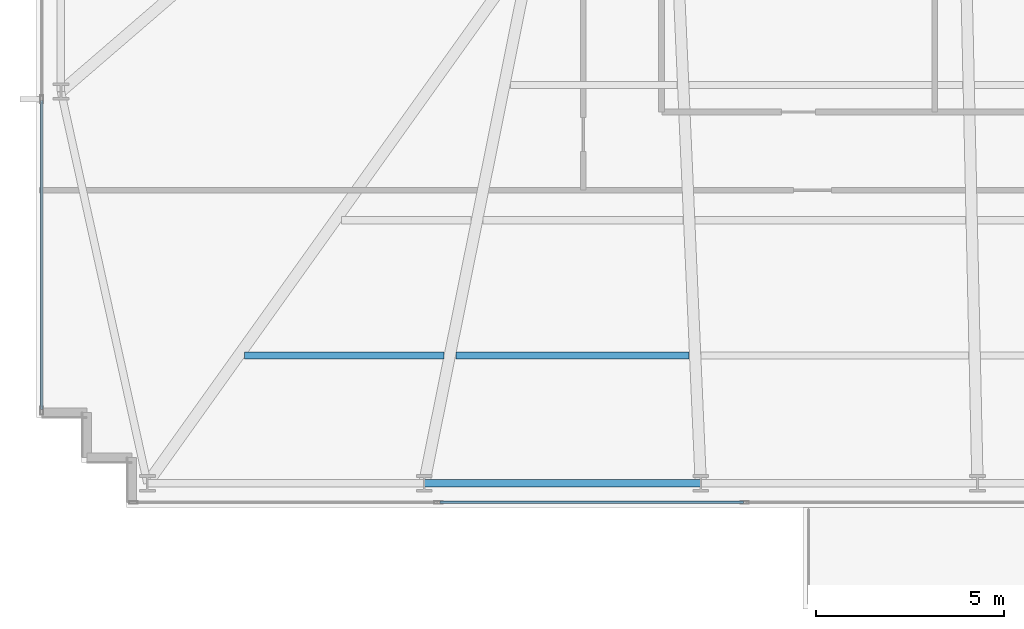
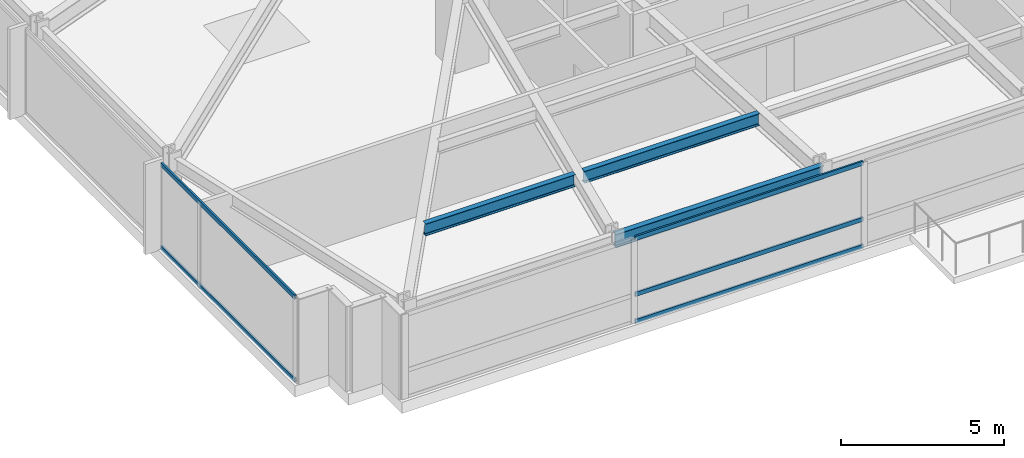
# One storey, part 3 of 31: 5 members, 3 beams, 2 elements without a shape of their own.
"""IFC4 building model written with IfcOpenShell, lengths in metres."""

from ifc_helpers import new_model, si_unit, direction, frame, origin, origin_2d, place, context, subcontext, project, spatial, hollow_rectangle, i_section, extrude, material, material_profile, profile_set, type_object, element, aggregate, save


model = new_model("IFC4")

# Units and contexts
model_context = context("Model", 3, precision=1e-05, world=origin(), true_north=direction((0.0, 1.0)))
body_context = subcontext(model_context, "Body", "Model", "MODEL_VIEW")
ifc_project = project(units=[si_unit("LENGTHUNIT", "METRE"), si_unit("AREAUNIT", "SQUARE_METRE"), si_unit("VOLUMEUNIT", "CUBIC_METRE"), si_unit("PLANEANGLEUNIT", "RADIAN"), si_unit("MASSUNIT", "GRAM", prefix="KILO")], contexts=[model_context])

# Site, building, storey
site_placement = place(None, origin())
site = spatial("IfcSite", under=ifc_project, at=site_placement, CompositionType="ELEMENT")
building_placement = place(site_placement, origin())
building = spatial("IfcBuilding", under=site, at=building_placement, Name="Yelkora Congress Tower", CompositionType="ELEMENT")
storey_placement = place(building_placement, frame((0.0, 0.0, 30.39990234375)))
storey = spatial("IfcBuildingStorey", under=building, at=storey_placement, Name="L06", CompositionType="ELEMENT", Elevation=30.39990234375)

# Beams
ifc_material_1 = material(Name="Steel S355J2", Category="steel")
ifc_material_profile_1 = material_profile(ifc_material_1, i_section(OverallWidth=0.18994140625, OverallDepth=0.449951171875, WebThickness=0.009521484375, FlangeThickness=0.0146484375, FilletRadius=0.02099609375, at=origin_2d()), Name="IPE 450")
ifc_profile_set_1 = profile_set([ifc_material_profile_1], Name="Steel S355J2")
beam_type_1 = type_object("IfcBeamType", Name="BM-JOIST-IPE450", PredefinedType="JOIST", material=ifc_profile_set_1)
beam_1_placement = place(storey_placement, frame((11.53857421875, 14.25, 2.955078125), z_axis=(1.0, 0.0, 0.0), x_axis=(0.0, 1.0, 0.0)))
element("IfcBeam", 1, at=beam_1_placement, inside=storey, type_object=beam_type_1, Name="L06 Composite Floor Joist 1", PredefinedType="JOIST", context=body_context, shape_type="SweptSolid", body=[
    extrude(i_section(OverallWidth=0.18994140625, OverallDepth=0.449951171875, WebThickness=0.009521484375, FlangeThickness=0.0146484375, FilletRadius=0.02099609375, at=origin_2d()), origin(), (0.0, 0.0, 1.0), 5.298095703125),
])
beam_2_placement = place(storey_placement, frame((17.156494140625, 14.25, 2.955078125), z_axis=(1.0, 0.0, 0.0), x_axis=(0.0, 1.0, 0.0)))
element("IfcBeam", 2, at=beam_2_placement, inside=storey, type_object=beam_type_1, Name="L06 Composite Floor Joist 2", PredefinedType="JOIST", context=body_context, shape_type="SweptSolid", body=[
    extrude(i_section(OverallWidth=0.18994140625, OverallDepth=0.449951171875, WebThickness=0.009521484375, FlangeThickness=0.0146484375, FilletRadius=0.02099609375, at=origin_2d()), origin(), (0.0, 0.0, 1.0), 6.2080078125),
])
ifc_material_profile_2 = material_profile(ifc_material_1, i_section(OverallWidth=0.199951171875, OverallDepth=0.5, WebThickness=0.01025390625, FlangeThickness=0.01611328125, FilletRadius=0.02099609375, at=origin_2d()), Name="IPE 500")
ifc_profile_set_2 = profile_set([ifc_material_profile_2], Name="Steel S355J2")
beam_type_2 = type_object("IfcBeamType", Name="BM-SPAN-IPE500", PredefinedType="SPANDREL", material=ifc_profile_set_2)
beam_3_placement = place(storey_placement, frame((16.3125, 10.85009765625, 2.93017578125), z_axis=(1.0, 0.0, 0.0), x_axis=(0.0, 1.0, 0.0)))
element("IfcBeam", 3, at=beam_3_placement, inside=storey, type_object=beam_type_2, Name="L06 Perimeter Beam 3", PredefinedType="SPANDREL", context=body_context, shape_type="SweptSolid", body=[
    extrude(i_section(OverallWidth=0.199951171875, OverallDepth=0.5, WebThickness=0.01025390625, FlangeThickness=0.01611328125, FilletRadius=0.02099609375, at=origin_2d()), origin(), (0.0, 0.0, 1.0), 7.362548828125),
])

# Curtain wall, members
ifc_material_2 = material(Name="Anodised aluminium and insulated glass", Category="aluminium")
curtain_wall_type = type_object("IfcCurtainWallType", Name="CW-SYS-B1", PredefinedType="NOTDEFINED", material=ifc_material_2)
curtain_wall_1_placement = place(storey_placement, origin())
curtain_wall_1 = element("IfcCurtainWall", 4, at=curtain_wall_1_placement, inside=storey, type_object=curtain_wall_type, Name="L06 Unitised Curtain Wall 5", PredefinedType="NOTDEFINED")
ifc_material_3 = material(Name="Anodised aluminium 6063-T6", Category="aluminium")
ifc_material_profile_3 = material_profile(ifc_material_3, hollow_rectangle(XDim=0.06494140625, YDim=0.159912109375, WallThickness=0.00390625, at=origin_2d()), Name="ALU 65x160x4")
ifc_profile_set_3 = profile_set([ifc_material_profile_3], Name="Anodised aluminium 6063-T6")
member_type = type_object("IfcMemberType", Name="MEM-TR-B1", PredefinedType="USERDEFINED", material=ifc_profile_set_3)
member_1_placement = place(storey_placement, frame((6.139892578125, 12.81494140625, 0.03271484375), z_axis=(0.0, 1.0, 0.0), x_axis=(-1.0, 0.0, 0.0)))
member_1 = element("IfcMember", 5, at=member_1_placement, type_object=member_type, Name="CW-B1 transom 1.1", ObjectType="TRANSOM", PredefinedType="USERDEFINED", context=body_context, shape_type="SweptSolid", body=[
    extrude(hollow_rectangle(XDim=0.06494140625, YDim=0.159912109375, WallThickness=0.00390625, at=origin_2d()), origin(), (0.0, 0.0, 1.0), 8.217529296875),
])
member_2_placement = place(storey_placement, frame((6.139892578125, 12.81494140625, 3.147705078125), z_axis=(0.0, 1.0, 0.0), x_axis=(-1.0, 0.0, 0.0)))
member_2 = element("IfcMember", 6, at=member_2_placement, type_object=member_type, Name="CW-B1 transom 1.2", ObjectType="TRANSOM", PredefinedType="USERDEFINED", context=body_context, shape_type="SweptSolid", body=[
    extrude(hollow_rectangle(XDim=0.06494140625, YDim=0.159912109375, WallThickness=0.00390625, at=origin_2d()), origin(), (0.0, 0.0, 1.0), 8.217529296875),
])
aggregate(curtain_wall_1, [member_1, member_2])

curtain_wall_2_placement = place(storey_placement, origin())
curtain_wall_2 = element("IfcCurtainWall", 7, at=curtain_wall_2_placement, inside=storey, type_object=curtain_wall_type, Name="L06 South-West Curtain Wall", PredefinedType="NOTDEFINED")
member_3_placement = place(storey_placement, frame((16.730712890625, 10.340087890625, 0.03271484375), z_axis=(1.0, 0.0, 0.0), x_axis=(0.0, 1.0, 0.0)))
member_3 = element("IfcMember", 8, at=member_3_placement, type_object=member_type, Name="CW-B1 transom 2.1", ObjectType="TRANSOM", PredefinedType="USERDEFINED", context=body_context, shape_type="SweptSolid", body=[
    extrude(hollow_rectangle(XDim=0.06494140625, YDim=0.159912109375, WallThickness=0.00390625, at=origin_2d()), origin(), (0.0, 0.0, 1.0), 8.078369140625),
])
member_4_placement = place(storey_placement, frame((16.730712890625, 10.340087890625, 1.050048828125), z_axis=(1.0, 0.0, 0.0), x_axis=(0.0, 1.0, 0.0)))
member_4 = element("IfcMember", 9, at=member_4_placement, type_object=member_type, Name="CW-B1 transom 2.2", ObjectType="TRANSOM", PredefinedType="USERDEFINED", context=body_context, shape_type="SweptSolid", body=[
    extrude(hollow_rectangle(XDim=0.06494140625, YDim=0.159912109375, WallThickness=0.00390625, at=origin_2d()), origin(), (0.0, 0.0, 1.0), 8.078369140625),
])
member_5_placement = place(storey_placement, frame((16.730712890625, 10.340087890625, 3.147705078125), z_axis=(1.0, 0.0, 0.0), x_axis=(0.0, 1.0, 0.0)))
member_5 = element("IfcMember", 10, at=member_5_placement, type_object=member_type, Name="CW-B1 transom 2.3", ObjectType="TRANSOM", PredefinedType="USERDEFINED", context=body_context, shape_type="SweptSolid", body=[
    extrude(hollow_rectangle(XDim=0.06494140625, YDim=0.159912109375, WallThickness=0.00390625, at=origin_2d()), origin(), (0.0, 0.0, 1.0), 8.078369140625),
])
aggregate(curtain_wall_2, [member_3, member_4, member_5])

save(model, "model.ifc")
